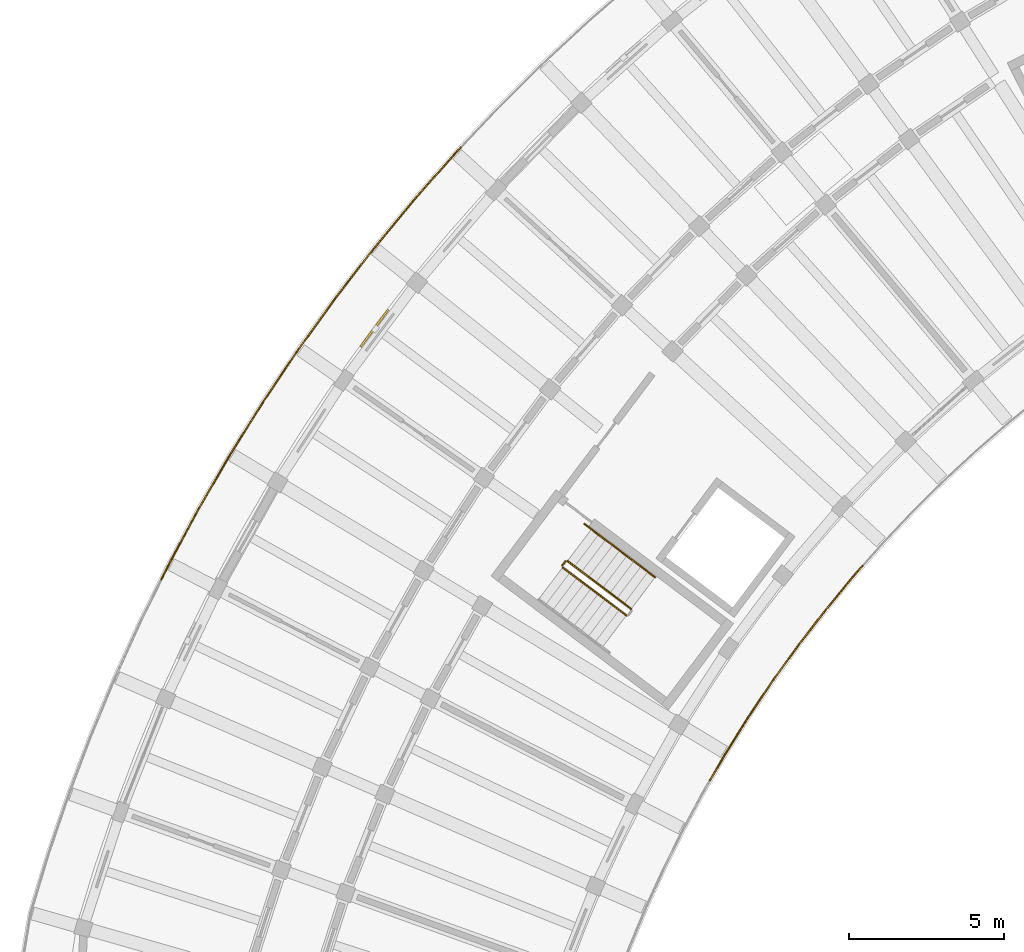
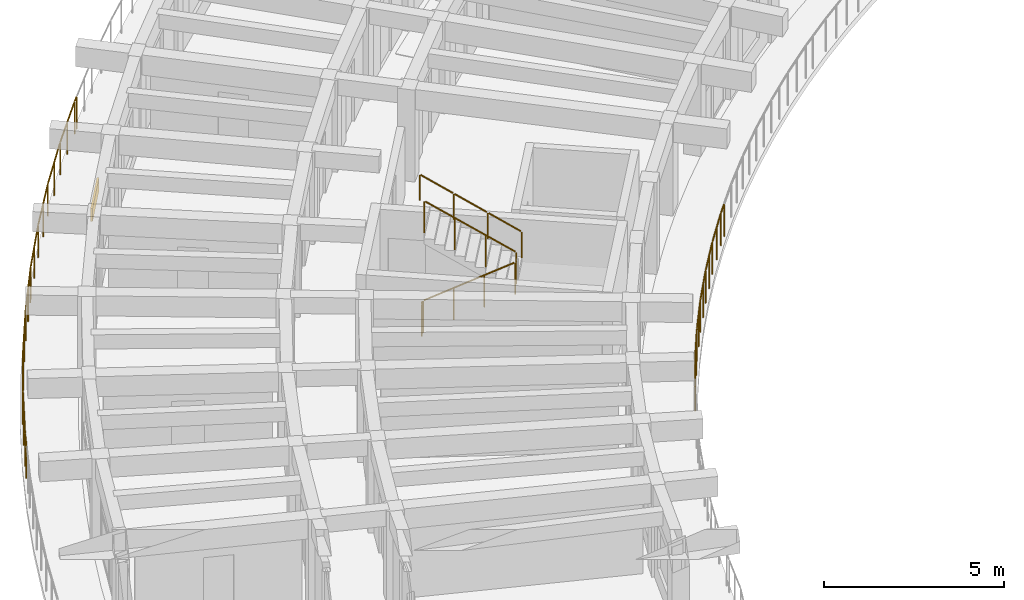
# One storey, part 71 of 83: 9 railings, 1 shading device.
"""IFC4 building model written with IfcOpenShell, lengths in metres."""

from ifc_helpers import new_model, si_unit, direction, frame, origin, origin_2d, place, context, subcontext, project, spatial, rectangle, circle, extrude, material, layer, layer_set, type_object, element, save


model = new_model("IFC4")

# Units and contexts
model_context = context("Model", 3, precision=1e-05, world=origin(), true_north=direction((0.0, 1.0)))
body_context = subcontext(model_context, "Body", "Model", "MODEL_VIEW")
ifc_project = project(units=[si_unit("LENGTHUNIT", "METRE"), si_unit("AREAUNIT", "SQUARE_METRE"), si_unit("VOLUMEUNIT", "CUBIC_METRE"), si_unit("PLANEANGLEUNIT", "RADIAN"), si_unit("MASSUNIT", "GRAM", prefix="KILO")], contexts=[model_context])

# Site, building, storey
site_placement = place(None, origin())
site = spatial("IfcSite", under=ifc_project, at=site_placement, CompositionType="ELEMENT")
building_placement = place(site_placement, origin())
building = spatial("IfcBuilding", under=site, at=building_placement, Name="Tanwirah Colonnade Gardens", CompositionType="ELEMENT")
storey_placement = place(building_placement, frame((0.0, 0.0, 25.639892578125)))
storey = spatial("IfcBuildingStorey", under=building, at=storey_placement, Name="L07", CompositionType="ELEMENT", Elevation=25.639892578125)

# Railings
ifc_material_1 = material(Name="Precast concrete C40/50", Category="concrete")
railing_type_1 = type_object("IfcRailingType", Name="BAL-EXT112", PredefinedType="BALUSTRADE", material=ifc_material_1)
railing_1_placement = place(storey_placement, frame((32.869384765625, 88.28515625, 0.0)))
element("IfcRailing", 1, at=railing_1_placement, inside=storey, type_object=railing_type_1, Name="Block A L07 Balcony Ribbon Balustrade 5", PredefinedType="BALUSTRADE", context=body_context, shape_type="SweptSolid", body=[
    extrude(circle(Radius=0.02392578125, at=origin_2d()), frame((-0.020751953125, -0.0234375, 1.09619140625), z_axis=(-0.662562077046, -0.749007005348, 0.0), x_axis=(0.749007005348, -0.662562077046, 0.0)), (0.0, 0.0, 1.0), 0.3837890625),
    extrude(circle(Radius=0.02392578125, at=origin_2d()), frame((-0.3173828125, -0.3603515625, 1.09619140625), z_axis=(-0.637581943595, -0.770382544715, 0.0), x_axis=(0.770382544715, -0.637581943595, 0.0)), (0.0, 0.0, 1.0), 1.342041015625),
    extrude(circle(Radius=0.02392578125, at=origin_2d()), frame((-1.213623046875, -1.44482421875, 1.09619140625), z_axis=(-0.611783903817, -0.791024939576, 0.0), x_axis=(0.791024939576, -0.611783903817, 0.0)), (0.0, 0.0, 1.0), 1.341796875),
    extrude(circle(Radius=0.02392578125, at=origin_2d()), frame((-2.073486328125, -2.55859375, 1.09619140625), z_axis=(-0.585522290474, -0.810656306556, 0.0), x_axis=(0.810656306556, -0.585522290474, 0.0)), (0.0, 0.0, 1.0), 1.341796875),
    extrude(circle(Radius=0.02392578125, at=origin_2d()), frame((-2.896484375, -3.69970703125, 1.09619140625), z_axis=(-0.558385571779, -0.829581553091, 0.0), x_axis=(0.829581553091, -0.558385571779, 0.0)), (0.0, 0.0, 1.0), 1.341796875),
    extrude(circle(Radius=0.02392578125, at=origin_2d()), frame((-3.68115234375, -4.86767578125, 1.09619140625), z_axis=(-0.530764445851, -0.847519382091, 0.0), x_axis=(0.847519382091, -0.530764445851, 0.0)), (0.0, 0.0, 1.0), 1.341796875),
    extrude(circle(Radius=0.02392578125, at=origin_2d()), frame((-4.427001953125, -6.060546875, 1.09619140625), z_axis=(-0.502361540351, -0.864657667968, 0.0), x_axis=(0.864657667968, -0.502361540351, 0.0)), (0.0, 0.0, 1.0), 0.95361328125),
    extrude(circle(Radius=0.02099609375, at=origin_2d()), origin(), (0.0, 0.0, 1.0), 1.069091796875),
    extrude(circle(Radius=0.02099609375, at=origin_2d()), frame((-0.295654296875, -0.334228515625, 0.0)), (0.0, 0.0, 1.0), 1.069091796875),
    extrude(circle(Radius=0.02099609375, at=origin_2d()), frame((-0.7451171875, -0.877197265625, 0.0)), (0.0, 0.0, 1.0), 1.069091796875),
    extrude(circle(Radius=0.02099609375, at=origin_2d()), frame((-1.19287109375, -1.418212890625, 0.0)), (0.0, 0.0, 1.0), 1.069091796875),
    extrude(circle(Radius=0.02099609375, at=origin_2d()), frame((-1.6240234375, -1.9755859375, 0.0)), (0.0, 0.0, 1.0), 1.069091796875),
    extrude(circle(Radius=0.02099609375, at=origin_2d()), frame((-2.0537109375, -2.531005859375, 0.0)), (0.0, 0.0, 1.0), 1.069091796875),
    extrude(circle(Radius=0.02099609375, at=origin_2d()), frame((-2.46630859375, -3.1025390625, 0.0)), (0.0, 0.0, 1.0), 1.069091796875),
    extrude(circle(Radius=0.02099609375, at=origin_2d()), frame((-2.87744140625, -3.671630859375, 0.0)), (0.0, 0.0, 1.0), 1.069091796875),
    extrude(circle(Radius=0.02099609375, at=origin_2d()), frame((-3.27099609375, -4.25634765625, 0.0)), (0.0, 0.0, 1.0), 1.069091796875),
    extrude(circle(Radius=0.02099609375, at=origin_2d()), frame((-3.6630859375, -4.8388671875, 0.0)), (0.0, 0.0, 1.0), 1.069091796875),
    extrude(circle(Radius=0.02099609375, at=origin_2d()), frame((-4.037109375, -5.43603515625, 0.0)), (0.0, 0.0, 1.0), 1.069091796875),
    extrude(circle(Radius=0.02099609375, at=origin_2d()), frame((-4.409912109375, -6.03125, 0.0)), (0.0, 0.0, 1.0), 1.069091796875),
    extrude(circle(Radius=0.02099609375, at=origin_2d()), frame((-4.921875, -6.912109375, 0.0)), (0.0, 0.0, 1.0), 1.069091796875),
])
railing_2_placement = place(storey_placement, frame((10.266845703125, 87.8330078125, 0.0)))
element("IfcRailing", 2, at=railing_2_placement, inside=storey, type_object=railing_type_1, Name="Block A L07 Balcony Ribbon Balustrade 12", PredefinedType="BALUSTRADE", context=body_context, shape_type="SweptSolid", body=[
    extrude(circle(Radius=0.02392578125, at=origin_2d()), frame((0.013916015625, 0.028076171875, 1.09619140625), z_axis=(0.444368714855, 0.895843984887, 0.0), x_axis=(-0.895843984887, 0.444368714855, 0.0)), (0.0, 0.0, 1.0), 0.521484375),
    extrude(circle(Radius=0.02392578125, at=origin_2d()), frame((0.2744140625, 0.55078125, 1.09619140625), z_axis=(0.473826102441, 0.88061843306, 0.0), x_axis=(-0.88061843306, 0.473826102441, 0.0)), (0.0, 0.0, 1.0), 1.958740234375),
    extrude(circle(Radius=0.02392578125, at=origin_2d()), frame((1.23291015625, 2.330322265625, 1.09619140625), z_axis=(0.502421024862, 0.864623105045, 0.0), x_axis=(-0.864623105045, 0.502421024862, 0.0)), (0.0, 0.0, 1.0), 1.958984375),
    extrude(circle(Radius=0.02392578125, at=origin_2d()), frame((2.24951171875, 4.07763671875, 1.09619140625), z_axis=(0.530812919598, 0.847489023167, 0.0), x_axis=(-0.847489023167, 0.530812919598, 0.0)), (0.0, 0.0, 1.0), 1.958984375),
    extrude(circle(Radius=0.02392578125, at=origin_2d()), frame((3.3232421875, 5.7900390625, 1.09619140625), z_axis=(0.558315298827, 0.829628849001, 0.0), x_axis=(-0.829628849001, 0.558315298827, 0.0)), (0.0, 0.0, 1.0), 1.789306640625),
    extrude(circle(Radius=0.02099609375, at=origin_2d()), origin(), (0.0, 0.0, 1.0), 1.069091796875),
    extrude(circle(Radius=0.02099609375, at=origin_2d()), frame((0.259521484375, 0.523193359375, 0.0)), (0.0, 0.0, 1.0), 1.069091796875),
    extrude(circle(Radius=0.02099609375, at=origin_2d()), frame((0.73828125, 1.4130859375, 0.0)), (0.0, 0.0, 1.0), 1.069091796875),
    extrude(circle(Radius=0.02099609375, at=origin_2d()), frame((1.21728515625, 2.30322265625, 0.0)), (0.0, 0.0, 1.0), 1.069091796875),
    extrude(circle(Radius=0.02099609375, at=origin_2d()), frame((1.72509765625, 3.17724609375, 0.0)), (0.0, 0.0, 1.0), 1.069091796875),
    extrude(circle(Radius=0.02099609375, at=origin_2d()), frame((2.23291015625, 4.051025390625, 0.0)), (0.0, 0.0, 1.0), 1.069091796875),
    extrude(circle(Radius=0.02099609375, at=origin_2d()), frame((2.76953125, 4.90771484375, 0.0)), (0.0, 0.0, 1.0), 1.069091796875),
    extrude(circle(Radius=0.02099609375, at=origin_2d()), frame((3.305908203125, 5.76416015625, 0.0)), (0.0, 0.0, 1.0), 1.069091796875),
    extrude(circle(Radius=0.02099609375, at=origin_2d()), frame((3.82275390625, 6.5322265625, 0.0)), (0.0, 0.0, 1.0), 1.069091796875),
    extrude(circle(Radius=0.02099609375, at=origin_2d()), frame((4.33984375, 7.300537109375, 0.0)), (0.0, 0.0, 1.0), 1.069091796875),
])
railing_3_placement = place(storey_placement, frame((14.606689453125, 95.133544921875, 0.0)))
element("IfcRailing", 3, at=railing_3_placement, inside=storey, type_object=railing_type_1, Name="Block A L07 Balcony Ribbon Balustrade 13", PredefinedType="BALUSTRADE", context=body_context, shape_type="SweptSolid", body=[
    extrude(circle(Radius=0.02392578125, at=origin_2d()), frame((0.017578125, 0.02587890625, 1.09619140625), z_axis=(0.558681242275, 0.829382462758, 0.0), x_axis=(-0.829382462758, 0.558681242275, 0.0)), (0.0, 0.0, 1.0), 0.10693359375),
    extrude(circle(Radius=0.02392578125, at=origin_2d()), frame((0.113037109375, 0.166015625, 1.09619140625), z_axis=(0.585468507287, 0.810695150457, 0.0), x_axis=(-0.810695150457, 0.585468507287, 0.0)), (0.0, 0.0, 1.0), 1.958984375),
    extrude(circle(Radius=0.02392578125, at=origin_2d()), frame((1.29736328125, 1.80419921875, 1.09619140625), z_axis=(0.611856467608, 0.790968812942, 0.0), x_axis=(-0.790968812942, 0.611856467608, 0.0)), (0.0, 0.0, 1.0), 1.958984375),
    extrude(circle(Radius=0.02392578125, at=origin_2d()), frame((2.53515625, 3.402587890625, 1.09619140625), z_axis=(0.637555355491, 0.770404548717, 0.0), x_axis=(-0.770404548717, 0.637555355491, 0.0)), (0.0, 0.0, 1.0), 1.958984375),
    extrude(circle(Radius=0.02392578125, at=origin_2d()), frame((3.82470703125, 4.959228515625, 1.09619140625), z_axis=(0.662607760508, 0.748966591854, 0.0), x_axis=(-0.748966591854, 0.662607760508, 0.0)), (0.0, 0.0, 1.0), 1.958740234375),
    extrude(circle(Radius=0.02392578125, at=origin_2d()), frame((5.164794921875, 6.472412109375, 1.09619140625), z_axis=(0.686858017599, 0.726791623273, 0.0), x_axis=(-0.726791623273, 0.686858017599, 0.0)), (0.0, 0.0, 1.0), 0.18212890625),
    extrude(circle(Radius=0.02099609375, at=origin_2d()), origin(), (0.0, 0.0, 1.0), 1.069091796875),
    extrude(circle(Radius=0.02099609375, at=origin_2d()), frame((0.0947265625, 0.140625, 0.0)), (0.0, 0.0, 1.0), 1.069091796875),
    extrude(circle(Radius=0.02099609375, at=origin_2d()), frame((0.6865234375, 0.9599609375, 0.0)), (0.0, 0.0, 1.0), 1.069091796875),
    extrude(circle(Radius=0.02099609375, at=origin_2d()), frame((1.2783203125, 1.779541015625, 0.0)), (0.0, 0.0, 1.0), 1.069091796875),
    extrude(circle(Radius=0.02099609375, at=origin_2d()), frame((1.896728515625, 2.5791015625, 0.0)), (0.0, 0.0, 1.0), 1.069091796875),
    extrude(circle(Radius=0.02099609375, at=origin_2d()), frame((2.51513671875, 3.37841796875, 0.0)), (0.0, 0.0, 1.0), 1.069091796875),
    extrude(circle(Radius=0.02099609375, at=origin_2d()), frame((3.15966796875, 4.1572265625, 0.0)), (0.0, 0.0, 1.0), 1.069091796875),
    extrude(circle(Radius=0.02099609375, at=origin_2d()), frame((3.803955078125, 4.935791015625, 0.0)), (0.0, 0.0, 1.0), 1.069091796875),
    extrude(circle(Radius=0.02099609375, at=origin_2d()), frame((4.4736328125, 5.69287109375, 0.0)), (0.0, 0.0, 1.0), 1.069091796875),
    extrude(circle(Radius=0.02099609375, at=origin_2d()), frame((5.143310546875, 6.44970703125, 0.0)), (0.0, 0.0, 1.0), 1.069091796875),
    extrude(circle(Radius=0.02099609375, at=origin_2d()), frame((5.311279296875, 6.62744140625, 0.0)), (0.0, 0.0, 1.0), 1.069091796875),
])
ifc_material_2 = material(Name="Powder-coated galvanized steel", Category="steel")
railing_type_2 = type_object("IfcRailingType", Name="GRD-ST110", PredefinedType="GUARDRAIL", material=ifc_material_2)
railing_4_placement = place(storey_placement, frame((23.201416015625, 88.22900390625, 0.168212890625)))
element("IfcRailing", 4, at=railing_4_placement, inside=storey, type_object=railing_type_2, Name="L07 ST-A2 stair guard 1", PredefinedType="GUARDRAIL", context=body_context, shape_type="SweptSolid", body=[
    extrude(circle(Radius=0.02392578125, at=origin_2d()), frame((0.021484375, -0.01611328125, 1.092041015625), z_axis=(0.688012363654, -0.518448596756, 0.507789365762), x_axis=(0.601810650199, 0.798638805285, 0.0)), (0.0, 0.0, 1.0), 2.9150390625),
    extrude(circle(Radius=0.02099609375, at=origin_2d()), origin(), (0.0, 0.0, 1.0), 1.049072265625),
    extrude(circle(Radius=0.02099609375, at=origin_2d()), frame((0.682861328125, -0.5146484375, 0.50390625)), (0.0, 0.0, 1.0), 1.049072265625),
    extrude(circle(Radius=0.02099609375, at=origin_2d()), frame((1.36572265625, -1.029052734375, 1.008056640625)), (0.0, 0.0, 1.0), 1.049072265625),
    extrude(circle(Radius=0.02099609375, at=origin_2d()), frame((2.048583984375, -1.543701171875, 1.511962890625)), (0.0, 0.0, 1.0), 1.049072265625),
])
railing_5_placement = place(storey_placement, frame((25.406494140625, 86.89306640625, 1.84814453125)))
element("IfcRailing", 5, at=railing_5_placement, inside=storey, type_object=railing_type_2, Name="L07 ST-A2 stair guard 3", PredefinedType="GUARDRAIL", context=body_context, shape_type="SweptSolid", body=[
    extrude(circle(Radius=0.02392578125, at=origin_2d()), frame((-0.021484375, 0.01611328125, 1.092041015625), z_axis=(-0.688041610417, 0.518388637952, 0.507810951414), x_axis=(-0.60174993816, -0.798684550949, 0.0)), (0.0, 0.0, 1.0), 2.914794921875),
    extrude(circle(Radius=0.02099609375, at=origin_2d()), origin(), (0.0, 0.0, 1.0), 1.049072265625),
    extrude(circle(Radius=0.02099609375, at=origin_2d()), frame((-0.682861328125, 0.514404296875, 0.50390625)), (0.0, 0.0, 1.0), 1.049072265625),
    extrude(circle(Radius=0.02099609375, at=origin_2d()), frame((-1.36572265625, 1.029052734375, 1.008056640625)), (0.0, 0.0, 1.0), 1.049072265625),
    extrude(circle(Radius=0.02099609375, at=origin_2d()), frame((-2.048583984375, 1.54345703125, 1.511962890625)), (0.0, 0.0, 1.0), 1.049072265625),
])
railing_6_placement = place(storey_placement, frame((23.191650390625, 88.299072265625, 0.0)))
element("IfcRailing", 6, at=railing_6_placement, inside=storey, type_object=railing_type_2, Name="L07 ST-A2 stair guard 4", PredefinedType="GUARDRAIL", context=body_context, shape_type="SweptSolid", body=[
    extrude(circle(Radius=0.02392578125, at=origin_2d()), frame((0.018798828125, 0.02490234375, 1.076171875), z_axis=(0.602681987584, 0.797981467104, 0.0), x_axis=(-0.797981467104, 0.602681987584, 0.0)), (0.0, 0.0, 1.0), 0.097412109375),
    extrude(circle(Radius=0.02099609375, at=origin_2d()), origin(), (0.0, 0.0, 1.0), 1.049072265625),
    extrude(circle(Radius=0.02099609375, at=origin_2d()), frame((0.096435546875, 0.127685546875, 0.0)), (0.0, 0.0, 1.0), 1.049072265625),
])
ifc_material_3 = material(Name="Brushed bronze stainless steel", Category="steel")
railing_type_3 = type_object("IfcRailingType", Name="HR-ST090", PredefinedType="HANDRAIL", material=ifc_material_3)
railing_7_placement = place(storey_placement, frame((26.1767578125, 87.915283203125, 1.84814453125)))
element("IfcRailing", 7, at=railing_7_placement, inside=storey, type_object=railing_type_3, Name="L07 ST-A2 stair handrail 4", PredefinedType="HANDRAIL", context=body_context, shape_type="SweptSolid", body=[
    extrude(circle(Radius=0.02392578125, at=origin_2d()), frame((-0.021484375, 0.01611328125, 0.891845703125), z_axis=(-0.686028488458, 0.517115777267, 0.511816554955), x_axis=(-0.601931007785, -0.798548096152, 0.0)), (0.0, 0.0, 1.0), 1.043212890625),
    extrude(circle(Radius=0.02099609375, at=origin_2d()), origin(), (0.0, 0.0, 1.0), 0.848876953125),
    extrude(circle(Radius=0.02099609375, at=origin_2d()), frame((-0.758544921875, 0.57177734375, 0.56591796875)), (0.0, 0.0, 1.0), 0.848876953125),
])
railing_8_placement = place(storey_placement, frame((25.418212890625, 88.487060546875, 2.4140625)))
element("IfcRailing", 8, at=railing_8_placement, inside=storey, type_object=railing_type_3, Name="L07 ST-A2 stair handrail 5", PredefinedType="HANDRAIL", context=body_context, shape_type="SweptSolid", body=[
    extrude(circle(Radius=0.02392578125, at=origin_2d()), frame((-0.021484375, 0.01611328125, 0.891845703125), z_axis=(-0.686146115326, 0.516817263828, 0.511960373694), x_axis=(-0.601643549736, -0.798764695677, 0.0)), (0.0, 0.0, 1.0), 1.04345703125),
    extrude(circle(Radius=0.02099609375, at=origin_2d()), origin(), (0.0, 0.0, 1.0), 0.848876953125),
    extrude(circle(Radius=0.02099609375, at=origin_2d()), frame((-0.7587890625, 0.571533203125, 0.566162109375)), (0.0, 0.0, 1.0), 0.848876953125),
])
railing_9_placement = place(storey_placement, frame((24.659423828125, 89.05859375, 2.980224609375)))
element("IfcRailing", 9, at=railing_9_placement, inside=storey, type_object=railing_type_3, Name="L07 ST-A2 stair handrail 6", PredefinedType="HANDRAIL", context=body_context, shape_type="SweptSolid", body=[
    extrude(circle(Radius=0.02392578125, at=origin_2d()), frame((-0.021484375, 0.01611328125, 0.891845703125), z_axis=(-0.686145346169, 0.517037451972, 0.51173903231), x_axis=(-0.601807485929, -0.798641189696, 0.0)), (0.0, 0.0, 1.0), 1.04345703125),
    extrude(circle(Radius=0.02099609375, at=origin_2d()), origin(), (0.0, 0.0, 1.0), 0.848876953125),
    extrude(circle(Radius=0.02099609375, at=origin_2d()), frame((-0.7587890625, 0.57177734375, 0.56591796875)), (0.0, 0.0, 1.0), 0.848876953125),
])

# Shading device
ifc_material_4 = material(Name="Perforated architectural bronze aluminium", Category="aluminium")
ifc_layer = layer(ifc_material_4, 0.050048828125)
ifc_layer_set = layer_set([ifc_layer], Name="Perforated architectural bronze aluminium")
shading_device_type = type_object("IfcShadingDeviceType", Name="SHD-OVH1", PredefinedType="SHUTTER", material=ifc_layer_set)
shading_device_placement = place(storey_placement, frame((17.136474609375, 95.940185546875, 1.88525390625), z_axis=(0.0, 0.0, 1.0), x_axis=(-0.598714514028, -0.800962502675, 0.0)))
element("IfcShadingDevice", 10, at=shading_device_placement, inside=storey, type_object=shading_device_type, Name="Solar shading louver hood A-L07-12", PredefinedType="SHUTTER", context=body_context, shape_type="SweptSolid", body=[
    extrude(rectangle(XDim=1.5, YDim=0.06005859375, at=origin_2d()), origin(), (0.0, 0.0, 1.0), 0.449951171875),
])

save(model, "model.ifc")
